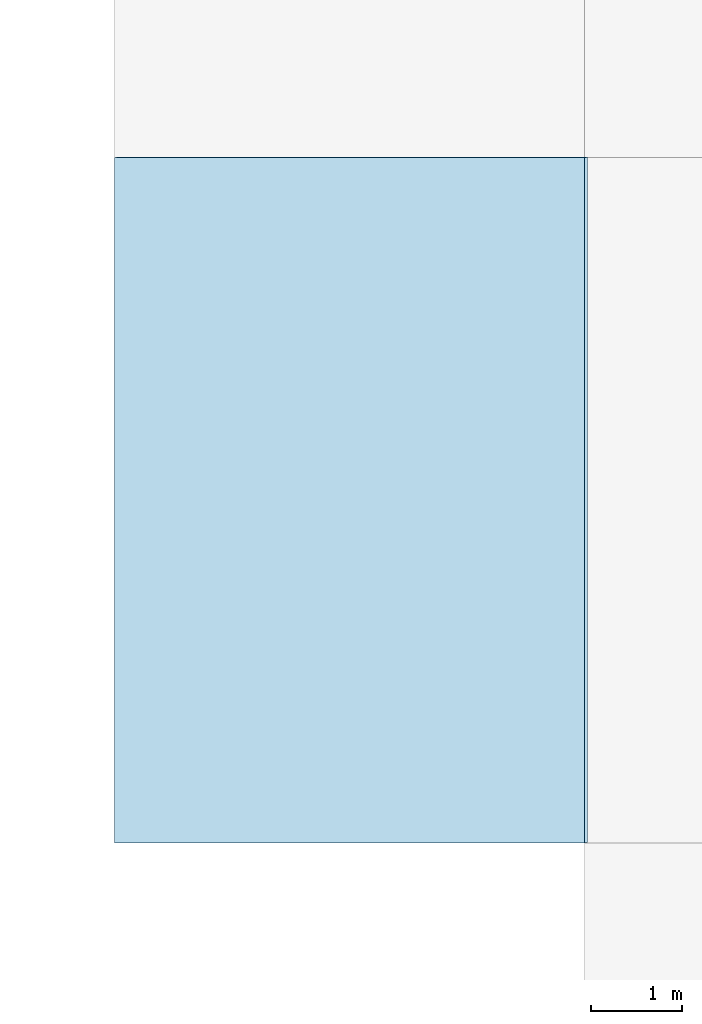
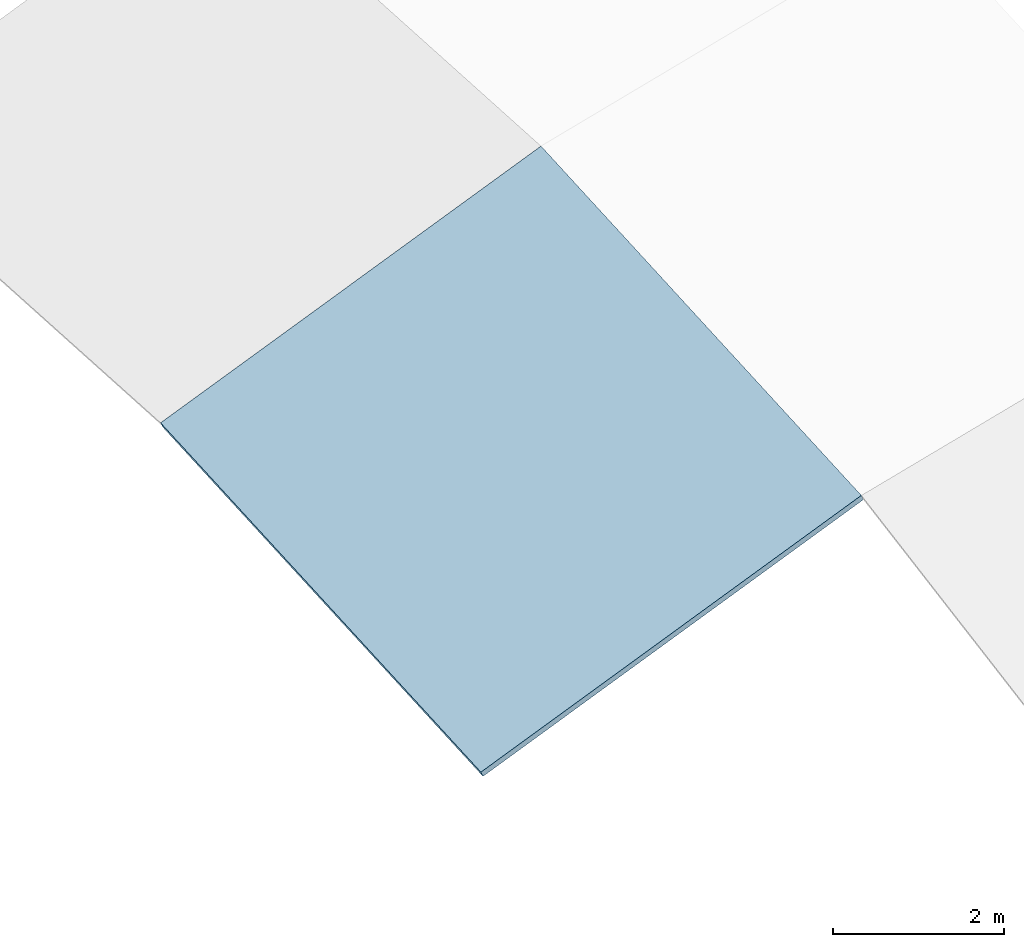
# One storey, part 42 of 45: 1 roof.
"""IFC4 building model written with IfcOpenShell, lengths in metres."""

from ifc_helpers import new_model, si_unit, direction, frame, origin, place, context, subcontext, project, spatial, polyline, outline, extrude, material, layer, layer_set, type_object, element, save


model = new_model("IFC4")

# Units and contexts
model_context = context("Model", 3, precision=1e-05, world=origin(), true_north=direction((0.0, 1.0)))
body_context = subcontext(model_context, "Body", "Model", "MODEL_VIEW")
ifc_project = project(units=[si_unit("LENGTHUNIT", "METRE"), si_unit("AREAUNIT", "SQUARE_METRE"), si_unit("VOLUMEUNIT", "CUBIC_METRE"), si_unit("PLANEANGLEUNIT", "RADIAN"), si_unit("MASSUNIT", "GRAM", prefix="KILO")], contexts=[model_context])

# Site, building, storey
site_placement = place(None, origin())
site = spatial("IfcSite", under=ifc_project, at=site_placement, CompositionType="ELEMENT")
building_placement = place(site_placement, origin())
building = spatial("IfcBuilding", under=site, at=building_placement, Name="Marnridge Secondary College", CompositionType="ELEMENT")
storey_placement = place(building_placement, frame((0.0, 0.0, 12.300048828125)))
storey = spatial("IfcBuildingStorey", under=building, at=storey_placement, Name="L03", CompositionType="ELEMENT", Elevation=12.300048828125)

# Roof
ifc_material = material(Name="Standing-seam zinc roofing over R3.7 insulation", Category="steel")
ifc_layer = layer(ifc_material, 0.080078125)
ifc_layer_set = layer_set([ifc_layer], Name="RF-SHELL-1")
roof_type = type_object("IfcRoofType", Name="RF-SHELL-1", PredefinedType="FREEFORM", material=ifc_layer_set)
roof_placement = place(storey_placement, frame((135.0, 90.0, 0.3056640625), z_axis=(-0.385901164733, -0.054560030304, 0.920925346676), x_axis=(0.922299118379, 0.0, 0.386476824967)))
element("IfcRoof", 1, at=roof_placement, inside=storey, type_object=roof_type, Name="Gridshell roof cassette CVR-V2-0103", PredefinedType="FREEFORM", context=body_context, shape_type="SweptSolid", body=[
    extrude(outline(polyline([(0.0, 0.0), (5.576089321935026, 0.0), (5.747814864278854, 7.511187972848285), (0.17172554234382773, 7.511187972848285), (0.0, 0.0)])), origin(), (0.0, 0.0, -1.0), 0.080078125),
])

save(model, "model.ifc")
